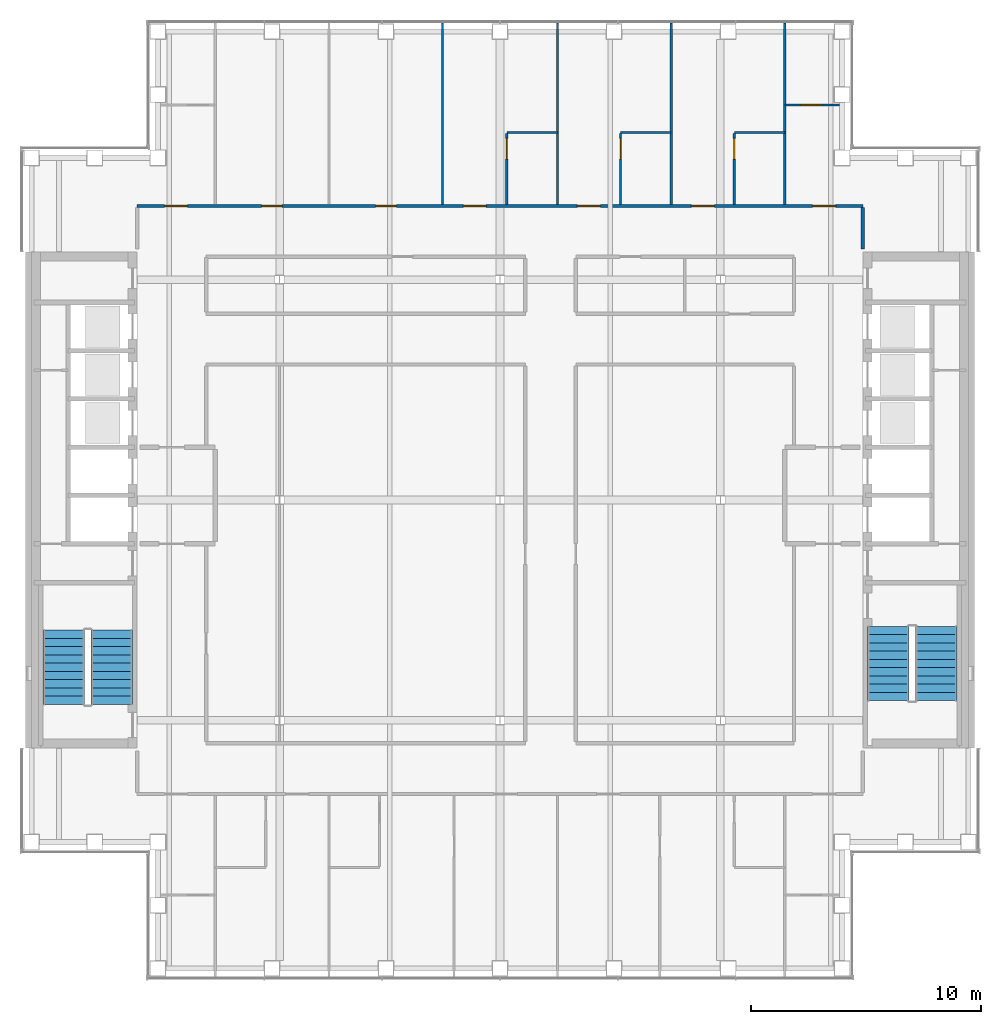
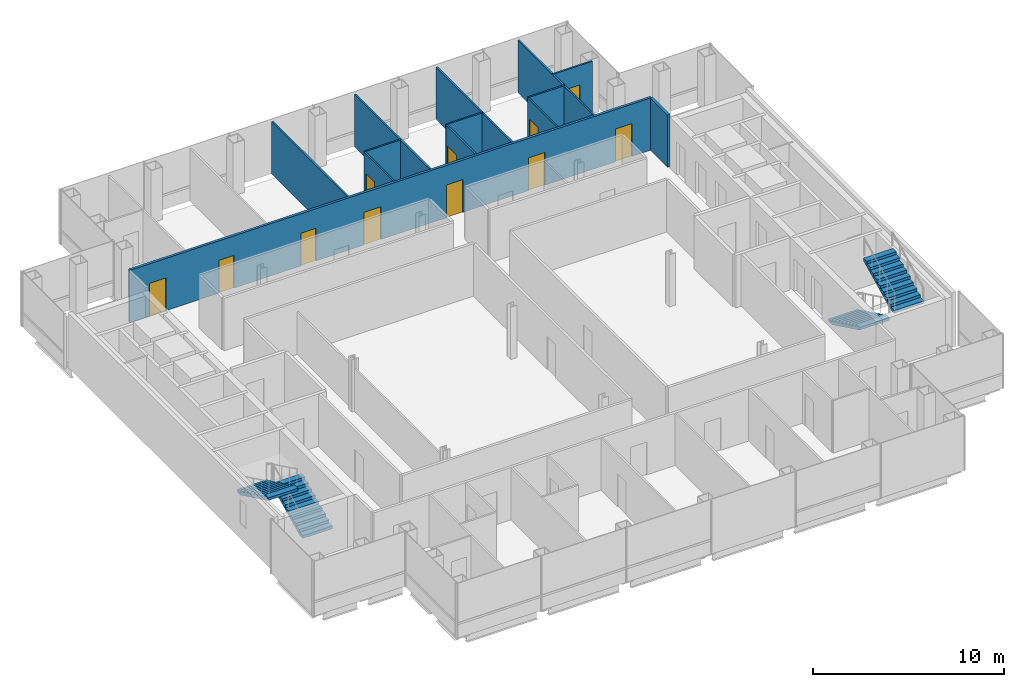
# One storey, part 13 of 15: 13 walls, 11 doors, 4 stair flights, 11 openings, 2 elements without a shape of their own.
"""IFC4 building model written with IfcOpenShell, lengths in metres."""

from ifc_helpers import new_model, si_unit, direction, frame, frame_2d, origin, place, context, subcontext, project, spatial, polyline, rectangle, outline, extrude, material, layer, layer_set, type_object, element, fill, aggregate, save


model = new_model("IFC4")

# Units and contexts
model_context = context("Model", 3, precision=1e-05, world=origin(), true_north=direction((0.0, 1.0)))
body_context = subcontext(model_context, "Body", "Model", "MODEL_VIEW")
ifc_project = project(units=[si_unit("LENGTHUNIT", "METRE"), si_unit("AREAUNIT", "SQUARE_METRE"), si_unit("VOLUMEUNIT", "CUBIC_METRE"), si_unit("PLANEANGLEUNIT", "RADIAN"), si_unit("MASSUNIT", "GRAM", prefix="KILO")], contexts=[model_context])

# Site, building, storey
site_placement = place(None, origin())
site = spatial("IfcSite", under=ifc_project, at=site_placement, CompositionType="ELEMENT")
building_placement = place(site_placement, origin())
building = spatial("IfcBuilding", under=site, at=building_placement, Name="Cobrizo Arcos Hotel Tower", CompositionType="ELEMENT")
storey_placement = place(building_placement, frame((0.0, 0.0, 215.5)))
storey = spatial("IfcBuildingStorey", under=building, at=storey_placement, Name="L56", CompositionType="ELEMENT", Elevation=215.5)

# Wall, openings, doors
ifc_material_1 = material(Name="Gypsum board partition")
ifc_layer_1 = layer(ifc_material_1, 0.14990234375)
ifc_layer_set_1 = layer_set([ifc_layer_1], Name="Corridor wall EI 60 150")
wall_type_1 = type_object("IfcWallType", Name="Corridor wall EI 60 150", PredefinedType="PARTITIONING", material=ifc_layer_set_1)
wall_1_placement = place(storey_placement, frame((-15.800048828125, 12.800048828125, 0.0), z_axis=(0.0, 0.0, 1.0), x_axis=(1.0, 0.0, 0.0)))
wall_1 = element("IfcWall", 1, at=wall_1_placement, inside=storey, type_object=wall_type_1, Name="Partition 035", PredefinedType="PARTITIONING", context=body_context, shape_type="SweptSolid", body=[
    extrude(rectangle(XDim=31.60009765625, YDim=0.14990234375, at=frame_2d((15.800048828125, 0.0))), origin(), (0.0, 0.0, 1.0), 3.35009765625),
])
opening_1_placement = place(wall_1_placement, frame((5.4169921875, 0.0, 0.0)))
opening_1 = element("IfcOpeningElement", 2, at=opening_1_placement, cuts=wall_1, Name="Opening RD-06", PredefinedType="OPENING", context=body_context, shape_type="SweptSolid", body=[
    extrude(rectangle(XDim=0.89990234375, YDim=2.10009765625, at=frame_2d((0.449951171875, 1.050048828125))), frame((0.0, 0.0869140625, 0.0), z_axis=(0.0, -1.0, 0.0), x_axis=(1.0, 0.0, 0.0)), (0.0, 0.0, 1.0), 0.173828125),
])
opening_2_placement = place(wall_1_placement, frame((10.384033203125, 0.0, 0.0)))
opening_2 = element("IfcOpeningElement", 3, at=opening_2_placement, cuts=wall_1, Name="Opening RD-07", PredefinedType="OPENING", context=body_context, shape_type="SweptSolid", body=[
    extrude(rectangle(XDim=0.89990234375, YDim=2.10009765625, at=frame_2d((0.449951171875, 1.050048828125))), frame((0.0, 0.0869140625, 0.0), z_axis=(0.0, -1.0, 0.0), x_axis=(1.0, 0.0, 0.0)), (0.0, 0.0, 1.0), 0.173828125),
])
opening_3_placement = place(wall_1_placement, frame((14.199951171875, 0.0, 0.0)))
opening_3 = element("IfcOpeningElement", 4, at=opening_3_placement, cuts=wall_1, Name="Opening GD-01", PredefinedType="OPENING", context=body_context, shape_type="SweptSolid", body=[
    extrude(rectangle(XDim=1.0, YDim=2.10009765625, at=frame_2d((0.5, 1.050048828125))), frame((0.0, 0.0869140625, 0.0), z_axis=(0.0, -1.0, 0.0), x_axis=(1.0, 0.0, 0.0)), (0.0, 0.0, 1.0), 0.173828125),
])
opening_4_placement = place(wall_1_placement, frame((19.166015625, 0.0, 0.0)))
opening_4 = element("IfcOpeningElement", 5, at=opening_4_placement, cuts=wall_1, Name="Opening GD-02", PredefinedType="OPENING", context=body_context, shape_type="SweptSolid", body=[
    extrude(rectangle(XDim=1.0, YDim=2.10009765625, at=frame_2d((0.5, 1.050048828125))), frame((0.0, 0.0869140625, 0.0), z_axis=(0.0, -1.0, 0.0), x_axis=(1.0, 0.0, 0.0)), (0.0, 0.0, 1.0), 0.173828125),
])
opening_5_placement = place(wall_1_placement, frame((24.134033203125, 0.0, 0.0)))
opening_5 = element("IfcOpeningElement", 6, at=opening_5_placement, cuts=wall_1, Name="Opening GD-03", PredefinedType="OPENING", context=body_context, shape_type="SweptSolid", body=[
    extrude(rectangle(XDim=1.0, YDim=2.10009765625, at=frame_2d((0.5, 1.050048828125))), frame((0.0, 0.0869140625, 0.0), z_axis=(0.0, -1.0, 0.0), x_axis=(1.0, 0.0, 0.0)), (0.0, 0.0, 1.0), 0.173828125),
])
opening_6_placement = place(wall_1_placement, frame((1.19189453125, 0.0, 0.0)))
opening_6 = element("IfcOpeningElement", 7, at=opening_6_placement, cuts=wall_1, Name="Opening GD-08", PredefinedType="OPENING", context=body_context, shape_type="SweptSolid", body=[
    extrude(rectangle(XDim=1.0, YDim=2.10009765625, at=frame_2d((0.5, 1.050048828125))), frame((0.0, 0.0869140625, 0.0), z_axis=(0.0, -1.0, 0.0), x_axis=(1.0, 0.0, 0.0)), (0.0, 0.0, 1.0), 0.173828125),
])
opening_7_placement = place(wall_1_placement, frame((29.408935546875, 0.0, 0.0)))
opening_7 = element("IfcOpeningElement", 8, at=opening_7_placement, cuts=wall_1, Name="Opening GD-10", PredefinedType="OPENING", context=body_context, shape_type="SweptSolid", body=[
    extrude(rectangle(XDim=1.0, YDim=2.10009765625, at=frame_2d((0.5, 1.050048828125))), frame((0.0, 0.0869140625, 0.0), z_axis=(0.0, -1.0, 0.0), x_axis=(1.0, 0.0, 0.0)), (0.0, 0.0, 1.0), 0.173828125),
])
ifc_material_2 = material(Name="Timber door leaf", Category="wood")
door_type_1 = type_object("IfcDoorType", Name="Guest room door FD30S 1000x2100", OperationType="SINGLE_SWING_LEFT", PredefinedType="DOOR", material=ifc_material_2)
door_1_placement = place(opening_3_placement, origin())
door_1 = element("IfcDoor", 9, at=door_1_placement, inside=storey, type_object=door_type_1, Name="Door GD-01", OperationType="SINGLE_SWING_RIGHT", OverallHeight=2.10009765625, OverallWidth=1.0, PredefinedType="DOOR", context=body_context, shape_type="SweptSolid", body=[
    extrude(rectangle(XDim=1.0, YDim=2.10009765625, at=frame_2d((0.5, 1.050048828125))), frame((0.0, 0.02490234375, 0.0), z_axis=(0.0, -1.0, 0.0), x_axis=(1.0, 0.0, 0.0)), (0.0, 0.0, 1.0), 0.050048828125),
])
fill(opening_3, door_1)
door_2_placement = place(opening_4_placement, origin())
door_2 = element("IfcDoor", 10, at=door_2_placement, inside=storey, type_object=door_type_1, Name="Door GD-02", OperationType="SINGLE_SWING_RIGHT", OverallHeight=2.10009765625, OverallWidth=1.0, PredefinedType="DOOR", context=body_context, shape_type="SweptSolid", body=[
    extrude(rectangle(XDim=1.0, YDim=2.10009765625, at=frame_2d((0.5, 1.050048828125))), frame((0.0, 0.02490234375, 0.0), z_axis=(0.0, -1.0, 0.0), x_axis=(1.0, 0.0, 0.0)), (0.0, 0.0, 1.0), 0.050048828125),
])
fill(opening_4, door_2)
door_3_placement = place(opening_5_placement, origin())
door_3 = element("IfcDoor", 11, at=door_3_placement, inside=storey, type_object=door_type_1, Name="Door GD-03", OperationType="SINGLE_SWING_LEFT", OverallHeight=2.10009765625, OverallWidth=1.0, PredefinedType="DOOR", context=body_context, shape_type="SweptSolid", body=[
    extrude(rectangle(XDim=1.0, YDim=2.10009765625, at=frame_2d((0.5, 1.050048828125))), frame((0.0, 0.02490234375, 0.0), z_axis=(0.0, -1.0, 0.0), x_axis=(1.0, 0.0, 0.0)), (0.0, 0.0, 1.0), 0.050048828125),
])
fill(opening_5, door_3)
door_4_placement = place(opening_6_placement, origin())
door_4 = element("IfcDoor", 12, at=door_4_placement, inside=storey, type_object=door_type_1, Name="Door GD-08", OperationType="SINGLE_SWING_LEFT", OverallHeight=2.10009765625, OverallWidth=1.0, PredefinedType="DOOR", context=body_context, shape_type="SweptSolid", body=[
    extrude(rectangle(XDim=1.0, YDim=2.10009765625, at=frame_2d((0.5, 1.050048828125))), frame((0.0, 0.02490234375, 0.0), z_axis=(0.0, -1.0, 0.0), x_axis=(1.0, 0.0, 0.0)), (0.0, 0.0, 1.0), 0.050048828125),
])
fill(opening_6, door_4)
door_5_placement = place(opening_7_placement, origin())
door_5 = element("IfcDoor", 13, at=door_5_placement, inside=storey, type_object=door_type_1, Name="Door GD-10", OperationType="SINGLE_SWING_LEFT", OverallHeight=2.10009765625, OverallWidth=1.0, PredefinedType="DOOR", context=body_context, shape_type="SweptSolid", body=[
    extrude(rectangle(XDim=1.0, YDim=2.10009765625, at=frame_2d((0.5, 1.050048828125))), frame((0.0, 0.02490234375, 0.0), z_axis=(0.0, -1.0, 0.0), x_axis=(1.0, 0.0, 0.0)), (0.0, 0.0, 1.0), 0.050048828125),
])
fill(opening_7, door_5)
door_type_2 = type_object("IfcDoorType", Name="Room door FD30 900x2100", OperationType="SINGLE_SWING_LEFT", PredefinedType="DOOR", material=ifc_material_2)
door_6_placement = place(opening_1_placement, origin())
door_6 = element("IfcDoor", 14, at=door_6_placement, inside=storey, type_object=door_type_2, Name="Door RD-06", OperationType="SINGLE_SWING_RIGHT", OverallHeight=2.10009765625, OverallWidth=0.89990234375, PredefinedType="DOOR", context=body_context, shape_type="SweptSolid", body=[
    extrude(rectangle(XDim=0.89990234375, YDim=2.10009765625, at=frame_2d((0.449951171875, 1.050048828125))), frame((0.0, 0.02490234375, 0.0), z_axis=(0.0, -1.0, 0.0), x_axis=(1.0, 0.0, 0.0)), (0.0, 0.0, 1.0), 0.050048828125),
])
fill(opening_1, door_6)
door_7_placement = place(opening_2_placement, origin())
door_7 = element("IfcDoor", 15, at=door_7_placement, inside=storey, type_object=door_type_2, Name="Door RD-07", OperationType="SINGLE_SWING_LEFT", OverallHeight=2.10009765625, OverallWidth=0.89990234375, PredefinedType="DOOR", context=body_context, shape_type="SweptSolid", body=[
    extrude(rectangle(XDim=0.89990234375, YDim=2.10009765625, at=frame_2d((0.449951171875, 1.050048828125))), frame((0.0, 0.02490234375, 0.0), z_axis=(0.0, -1.0, 0.0), x_axis=(1.0, 0.0, 0.0)), (0.0, 0.0, 1.0), 0.050048828125),
])
fill(opening_2, door_7)

# Walls
wall_2_placement = place(storey_placement, frame((15.800048828125, 10.919921875, 0.0), z_axis=(0.0, 0.0, 1.0), x_axis=(0.0, 1.0, 0.0)))
element("IfcWall", 16, at=wall_2_placement, inside=storey, type_object=wall_type_1, Name="Partition 082", PredefinedType="PARTITIONING", context=body_context, shape_type="SweptSolid", body=[
    extrude(rectangle(XDim=1.80517578125, YDim=0.14990234375, at=frame_2d((0.902587890625, 0.0))), origin(), (0.0, 0.0, 1.0), 3.35009765625),
])
ifc_layer_2 = layer(ifc_material_1, 0.10009765625)
ifc_layer_set_2 = layer_set([ifc_layer_2], Name="Partition EI 30 100")
wall_type_2 = type_object("IfcWallType", Name="Partition EI 30 100", PredefinedType="PARTITIONING", material=ifc_layer_set_2)
for number, where, z_axis, x_axis, name in (
    (17, (0.300048828125, 16.0, 0.0), (0.0, 0.0, 1.0), (1.0, 0.0, 0.0), "Partition 036"),
    (18, (5.25, 16.0, 0.0), (0.0, 0.0, 1.0), (1.0, 0.0, 0.0), "Partition 037"),
    (19, (10.199951171875, 16.0, 0.0), (0.0, 0.0, 1.0), (1.0, 0.0, 0.0), "Partition 038"),
):
    element("IfcWall", number, at=place(storey_placement, frame(where, z_axis=z_axis, x_axis=x_axis)), inside=storey, type_object=wall_type_2, Name=name, PredefinedType="PARTITIONING", context=body_context, shape_type="SweptSolid", body=[
        extrude(rectangle(XDim=2.199951171875, YDim=0.10009765625, at=frame_2d((1.10009765625, 0.0))), origin(), (0.0, 0.0, 1.0), 3.35009765625),
    ])

# Wall, opening, door
wall_3_placement = place(storey_placement, frame((12.39990234375, 17.199951171875, 0.0), z_axis=(0.0, 0.0, 1.0), x_axis=(1.0, 0.0, 0.0)))
wall_3 = element("IfcWall", 20, at=wall_3_placement, inside=storey, type_object=wall_type_2, Name="Partition 040", PredefinedType="PARTITIONING", context=body_context, shape_type="SweptSolid", body=[
    extrude(rectangle(XDim=2.380126953125, YDim=0.10009765625, at=frame_2d((1.18994140625, 0.0))), origin(), (0.0, 0.0, 1.0), 3.35009765625),
])
opening_8_placement = place(wall_3_placement, frame((0.705078125, 0.0, 0.0)))
opening_8 = element("IfcOpeningElement", 21, at=opening_8_placement, cuts=wall_3, Name="Opening ED-11", PredefinedType="OPENING", context=body_context, shape_type="SweptSolid", body=[
    extrude(rectangle(XDim=0.89990234375, YDim=2.10009765625, at=frame_2d((0.449951171875, 1.050048828125))), frame((0.0, 0.06201171875, 0.0), z_axis=(0.0, -1.0, 0.0), x_axis=(1.0, 0.0, 0.0)), (0.0, 0.0, 1.0), 0.1240234375),
])
door_type_3 = type_object("IfcDoorType", Name="En-suite door 900x2100", OperationType="SINGLE_SWING_LEFT", PredefinedType="DOOR", material=ifc_material_2)
door_8_placement = place(opening_8_placement, origin())
door_8 = element("IfcDoor", 22, at=door_8_placement, inside=storey, type_object=door_type_3, Name="Door ED-11", OperationType="SINGLE_SWING_LEFT", OverallHeight=2.10009765625, OverallWidth=0.89990234375, PredefinedType="DOOR", context=body_context, shape_type="SweptSolid", body=[
    extrude(rectangle(XDim=0.89990234375, YDim=2.10009765625, at=frame_2d((0.449951171875, 1.050048828125))), frame((0.0, 0.02490234375, 0.0), z_axis=(0.0, -1.0, 0.0), x_axis=(1.0, 0.0, 0.0)), (0.0, 0.0, 1.0), 0.050048828125),
])
fill(opening_8, door_8)

# Wall
wall_4_placement = place(storey_placement, frame((-2.5, 12.875, 0.0), z_axis=(0.0, 0.0, 1.0), x_axis=(0.0, 1.0, 0.0)))
element("IfcWall", 23, at=wall_4_placement, inside=storey, type_object=wall_type_2, Name="Partition 060", PredefinedType="PARTITIONING", context=body_context, shape_type="SweptSolid", body=[
    extrude(rectangle(XDim=7.905029296875, YDim=0.10009765625, at=frame_2d((3.95263671875, 0.0))), origin(), (0.0, 0.0, 1.0), 3.35009765625),
])

# Wall, opening, door
wall_5_placement = place(storey_placement, frame((0.300048828125, 12.875, 0.0), z_axis=(0.0, 0.0, 1.0), x_axis=(0.0, 1.0, 0.0)))
wall_5 = element("IfcWall", 24, at=wall_5_placement, inside=storey, type_object=wall_type_2, Name="Partition 062", PredefinedType="PARTITIONING", context=body_context, shape_type="SweptSolid", body=[
    extrude(rectangle(XDim=3.074951171875, YDim=0.10009765625, at=frame_2d((1.53759765625, 0.0))), origin(), (0.0, 0.0, 1.0), 3.35009765625),
])
opening_9_placement = place(wall_5_placement, frame((1.970947265625, 0.0, 0.0)))
opening_9 = element("IfcOpeningElement", 25, at=opening_9_placement, cuts=wall_5, Name="Opening ED-02", PredefinedType="OPENING", context=body_context, shape_type="SweptSolid", body=[
    extrude(rectangle(XDim=0.89990234375, YDim=2.10009765625, at=frame_2d((0.449951171875, 1.050048828125))), frame((0.0, 0.06201171875, 0.0), z_axis=(0.0, -1.0, 0.0), x_axis=(1.0, 0.0, 0.0)), (0.0, 0.0, 1.0), 0.1240234375),
])
door_9_placement = place(opening_9_placement, origin())
door_9 = element("IfcDoor", 26, at=door_9_placement, inside=storey, type_object=door_type_3, Name="Door ED-02", OperationType="SINGLE_SWING_LEFT", OverallHeight=2.10009765625, OverallWidth=0.89990234375, PredefinedType="DOOR", context=body_context, shape_type="SweptSolid", body=[
    extrude(rectangle(XDim=0.89990234375, YDim=2.10009765625, at=frame_2d((0.449951171875, 1.050048828125))), frame((0.0, 0.02490234375, 0.0), z_axis=(0.0, -1.0, 0.0), x_axis=(1.0, 0.0, 0.0)), (0.0, 0.0, 1.0), 0.050048828125),
])
fill(opening_9, door_9)

# Wall
wall_6_placement = place(storey_placement, frame((2.5, 12.875, 0.0), z_axis=(0.0, 0.0, 1.0), x_axis=(0.0, 1.0, 0.0)))
element("IfcWall", 27, at=wall_6_placement, inside=storey, type_object=wall_type_2, Name="Partition 066", PredefinedType="PARTITIONING", context=body_context, shape_type="SweptSolid", body=[
    extrude(rectangle(XDim=7.905029296875, YDim=0.10009765625, at=frame_2d((3.95263671875, 0.0))), origin(), (0.0, 0.0, 1.0), 3.35009765625),
])

# Wall, opening, door
wall_7_placement = place(storey_placement, frame((5.25, 12.875, 0.0), z_axis=(0.0, 0.0, 1.0), x_axis=(0.0, 1.0, 0.0)))
wall_7 = element("IfcWall", 28, at=wall_7_placement, inside=storey, type_object=wall_type_2, Name="Partition 069", PredefinedType="PARTITIONING", context=body_context, shape_type="SweptSolid", body=[
    extrude(rectangle(XDim=3.074951171875, YDim=0.10009765625, at=frame_2d((1.53759765625, 0.0))), origin(), (0.0, 0.0, 1.0), 3.35009765625),
])
opening_10_placement = place(wall_7_placement, frame((1.970947265625, 0.0, 0.0)))
opening_10 = element("IfcOpeningElement", 29, at=opening_10_placement, cuts=wall_7, Name="Opening ED-03", PredefinedType="OPENING", context=body_context, shape_type="SweptSolid", body=[
    extrude(rectangle(XDim=0.89990234375, YDim=2.10009765625, at=frame_2d((0.449951171875, 1.050048828125))), frame((0.0, 0.06201171875, 0.0), z_axis=(0.0, -1.0, 0.0), x_axis=(1.0, 0.0, 0.0)), (0.0, 0.0, 1.0), 0.1240234375),
])
door_10_placement = place(opening_10_placement, origin())
door_10 = element("IfcDoor", 30, at=door_10_placement, inside=storey, type_object=door_type_3, Name="Door ED-03", OperationType="SINGLE_SWING_RIGHT", OverallHeight=2.10009765625, OverallWidth=0.89990234375, PredefinedType="DOOR", context=body_context, shape_type="SweptSolid", body=[
    extrude(rectangle(XDim=0.89990234375, YDim=2.10009765625, at=frame_2d((0.449951171875, 1.050048828125))), frame((0.0, 0.02490234375, 0.0), z_axis=(0.0, -1.0, 0.0), x_axis=(1.0, 0.0, 0.0)), (0.0, 0.0, 1.0), 0.050048828125),
])
fill(opening_10, door_10)

# Wall
wall_8_placement = place(storey_placement, frame((7.449951171875, 12.875, 0.0), z_axis=(0.0, 0.0, 1.0), x_axis=(0.0, 1.0, 0.0)))
element("IfcWall", 31, at=wall_8_placement, inside=storey, type_object=wall_type_2, Name="Partition 071", PredefinedType="PARTITIONING", context=body_context, shape_type="SweptSolid", body=[
    extrude(rectangle(XDim=7.905029296875, YDim=0.10009765625, at=frame_2d((3.95263671875, 0.0))), origin(), (0.0, 0.0, 1.0), 3.35009765625),
])

# Wall, opening, door
wall_9_placement = place(storey_placement, frame((10.199951171875, 12.875, 0.0), z_axis=(0.0, 0.0, 1.0), x_axis=(0.0, 1.0, 0.0)))
wall_9 = element("IfcWall", 32, at=wall_9_placement, inside=storey, type_object=wall_type_2, Name="Partition 074", PredefinedType="PARTITIONING", context=body_context, shape_type="SweptSolid", body=[
    extrude(rectangle(XDim=3.074951171875, YDim=0.10009765625, at=frame_2d((1.53759765625, 0.0))), origin(), (0.0, 0.0, 1.0), 3.35009765625),
])
opening_11_placement = place(wall_9_placement, frame((1.970947265625, 0.0, 0.0)))
opening_11 = element("IfcOpeningElement", 33, at=opening_11_placement, cuts=wall_9, Name="Opening ED-04", PredefinedType="OPENING", context=body_context, shape_type="SweptSolid", body=[
    extrude(rectangle(XDim=0.89990234375, YDim=2.10009765625, at=frame_2d((0.449951171875, 1.050048828125))), frame((0.0, 0.06201171875, 0.0), z_axis=(0.0, -1.0, 0.0), x_axis=(1.0, 0.0, 0.0)), (0.0, 0.0, 1.0), 0.1240234375),
])
door_11_placement = place(opening_11_placement, origin())
door_11 = element("IfcDoor", 34, at=door_11_placement, inside=storey, type_object=door_type_3, Name="Door ED-04", OperationType="SINGLE_SWING_LEFT", OverallHeight=2.10009765625, OverallWidth=0.89990234375, PredefinedType="DOOR", context=body_context, shape_type="SweptSolid", body=[
    extrude(rectangle(XDim=0.89990234375, YDim=2.10009765625, at=frame_2d((0.449951171875, 1.050048828125))), frame((0.0, 0.02490234375, 0.0), z_axis=(0.0, -1.0, 0.0), x_axis=(1.0, 0.0, 0.0)), (0.0, 0.0, 1.0), 0.050048828125),
])
fill(opening_11, door_11)

# Wall
wall_10_placement = place(storey_placement, frame((12.39990234375, 12.875, 0.0), z_axis=(0.0, 0.0, 1.0), x_axis=(0.0, 1.0, 0.0)))
element("IfcWall", 35, at=wall_10_placement, inside=storey, type_object=wall_type_2, Name="Partition 077", PredefinedType="PARTITIONING", context=body_context, shape_type="SweptSolid", body=[
    extrude(rectangle(XDim=7.905029296875, YDim=0.10009765625, at=frame_2d((3.95263671875, 0.0))), origin(), (0.0, 0.0, 1.0), 3.35009765625),
])

# Stair, stair flights
ifc_material_3 = material(Name="Concrete f'c 40 MPa", Category="concrete")
stair_type = type_object("IfcStairType", Name="Exit stair", PredefinedType="HALF_TURN_STAIR", material=ifc_material_3)
stair_1_placement = place(storey_placement, origin())
stair_1 = element("IfcStair", 36, at=stair_1_placement, inside=storey, type_object=stair_type, Name="L56 Exit stair ST-W", PredefinedType="HALF_TURN_STAIR")
stair_flight_type = type_object("IfcStairFlightType", Name="Exit stair flight", PredefinedType="STRAIGHT", material=ifc_material_3)
stair_flight_1_placement = place(storey_placement, frame((-16.89990234375, -8.89990234375, 0.0), z_axis=(0.0, 0.0, 1.0), x_axis=(0.0, 1.0, 0.0)))
stair_flight_1 = element("IfcStairFlight", 37, at=stair_flight_1_placement, type_object=stair_flight_type, Name="ST-W flight 1", NumberOfRisers=10, NumberOfTreads=9, PredefinedType="STRAIGHT", RiserHeight=0.175, TreadLength=0.36, context=body_context, shape_type="SweptSolid", body=[
    extrude(outline(polyline([(0.0, 0.0), (0.0, 0.175048828125), (0.360107421875, 0.175048828125), (0.360107421875, 0.35009765625), (0.719970703125, 0.35009765625), (0.719970703125, 0.52490234375), (1.080078125, 0.52490234375), (1.080078125, 0.699951171875), (1.43994140625, 0.699951171875), (1.43994140625, 0.875), (1.800048828125, 0.875), (1.800048828125, 1.050048828125), (2.159912109375, 1.050048828125), (2.159912109375, 1.22509765625), (2.52001953125, 1.22509765625), (2.52001953125, 1.39990234375), (2.8798828125, 1.39990234375), (2.8798828125, 1.574951171875), (3.239990234375, 1.574951171875), (3.239990234375, 1.75), (3.239990234375, 1.408203125), (0.3427734375, 0.0), (0.0, 0.0)])), frame((0.0, 0.89990234375, 0.0), z_axis=(0.0, -1.0, 0.0), x_axis=(1.0, 0.0, 0.0)), (0.0, 0.0, 1.0), 1.800048828125),
])
stair_flight_2_placement = place(storey_placement, frame((-19.0, -5.659912109375, 1.75), z_axis=(0.0, 0.0, 1.0), x_axis=(0.0, -1.0, 0.0)))
stair_flight_2 = element("IfcStairFlight", 38, at=stair_flight_2_placement, type_object=stair_flight_type, Name="ST-W flight 2", NumberOfRisers=10, NumberOfTreads=9, PredefinedType="STRAIGHT", RiserHeight=0.175, TreadLength=0.36, context=body_context, shape_type="SweptSolid", body=[
    extrude(outline(polyline([(0.0, 0.0), (0.0, 0.175048828125), (0.360107421875, 0.175048828125), (0.360107421875, 0.35009765625), (0.719970703125, 0.35009765625), (0.719970703125, 0.52490234375), (1.080078125, 0.52490234375), (1.080078125, 0.699951171875), (1.43994140625, 0.699951171875), (1.43994140625, 0.875), (1.800048828125, 0.875), (1.800048828125, 1.050048828125), (2.159912109375, 1.050048828125), (2.159912109375, 1.22509765625), (2.52001953125, 1.22509765625), (2.52001953125, 1.39990234375), (2.8798828125, 1.39990234375), (2.8798828125, 1.574951171875), (3.239990234375, 1.574951171875), (3.239990234375, 1.75), (3.239990234375, 1.408203125), (0.3427734375, 0.0), (0.0, 0.0)])), frame((0.0, 0.89990234375, 0.0), z_axis=(0.0, -1.0, 0.0), x_axis=(1.0, 0.0, 0.0)), (0.0, 0.0, 1.0), 1.800048828125),
])
aggregate(stair_1, [stair_flight_1, stair_flight_2])

stair_2_placement = place(storey_placement, origin())
stair_2 = element("IfcStair", 39, at=stair_2_placement, inside=storey, type_object=stair_type, Name="L56 Exit stair ST-E", PredefinedType="HALF_TURN_STAIR")
stair_flight_3_placement = place(storey_placement, frame((16.89990234375, -5.5, 0.0), z_axis=(0.0, 0.0, 1.0), x_axis=(0.0, -1.0, 0.0)))
stair_flight_3 = element("IfcStairFlight", 40, at=stair_flight_3_placement, type_object=stair_flight_type, Name="ST-E flight 1", NumberOfRisers=10, NumberOfTreads=9, PredefinedType="STRAIGHT", RiserHeight=0.175, TreadLength=0.36, context=body_context, shape_type="SweptSolid", body=[
    extrude(outline(polyline([(0.0, 0.0), (0.0, 0.175048828125), (0.360107421875, 0.175048828125), (0.360107421875, 0.35009765625), (0.719970703125, 0.35009765625), (0.719970703125, 0.52490234375), (1.080078125, 0.52490234375), (1.080078125, 0.699951171875), (1.43994140625, 0.699951171875), (1.43994140625, 0.875), (1.800048828125, 0.875), (1.800048828125, 1.050048828125), (2.159912109375, 1.050048828125), (2.159912109375, 1.22509765625), (2.52001953125, 1.22509765625), (2.52001953125, 1.39990234375), (2.8798828125, 1.39990234375), (2.8798828125, 1.574951171875), (3.239990234375, 1.574951171875), (3.239990234375, 1.75), (3.239990234375, 1.408203125), (0.3427734375, 0.0), (0.0, 0.0)])), frame((0.0, 0.89990234375, 0.0), z_axis=(0.0, -1.0, 0.0), x_axis=(1.0, 0.0, 0.0)), (0.0, 0.0, 1.0), 1.800048828125),
])
stair_flight_4_placement = place(storey_placement, frame((19.0, -8.739990234375, 1.75), z_axis=(0.0, 0.0, 1.0), x_axis=(0.0, 1.0, 0.0)))
stair_flight_4 = element("IfcStairFlight", 41, at=stair_flight_4_placement, type_object=stair_flight_type, Name="ST-E flight 2", NumberOfRisers=10, NumberOfTreads=9, PredefinedType="STRAIGHT", RiserHeight=0.175, TreadLength=0.36, context=body_context, shape_type="SweptSolid", body=[
    extrude(outline(polyline([(0.0, 0.0), (0.0, 0.175048828125), (0.360107421875, 0.175048828125), (0.360107421875, 0.35009765625), (0.719970703125, 0.35009765625), (0.719970703125, 0.52490234375), (1.080078125, 0.52490234375), (1.080078125, 0.699951171875), (1.43994140625, 0.699951171875), (1.43994140625, 0.875), (1.800048828125, 0.875), (1.800048828125, 1.050048828125), (2.159912109375, 1.050048828125), (2.159912109375, 1.22509765625), (2.52001953125, 1.22509765625), (2.52001953125, 1.39990234375), (2.8798828125, 1.39990234375), (2.8798828125, 1.574951171875), (3.239990234375, 1.574951171875), (3.239990234375, 1.75), (3.239990234375, 1.408203125), (0.3427734375, 0.0), (0.0, 0.0)])), frame((0.0, 0.89990234375, 0.0), z_axis=(0.0, -1.0, 0.0), x_axis=(1.0, 0.0, 0.0)), (0.0, 0.0, 1.0), 1.800048828125),
])
aggregate(stair_2, [stair_flight_3, stair_flight_4])

save(model, "model.ifc")
